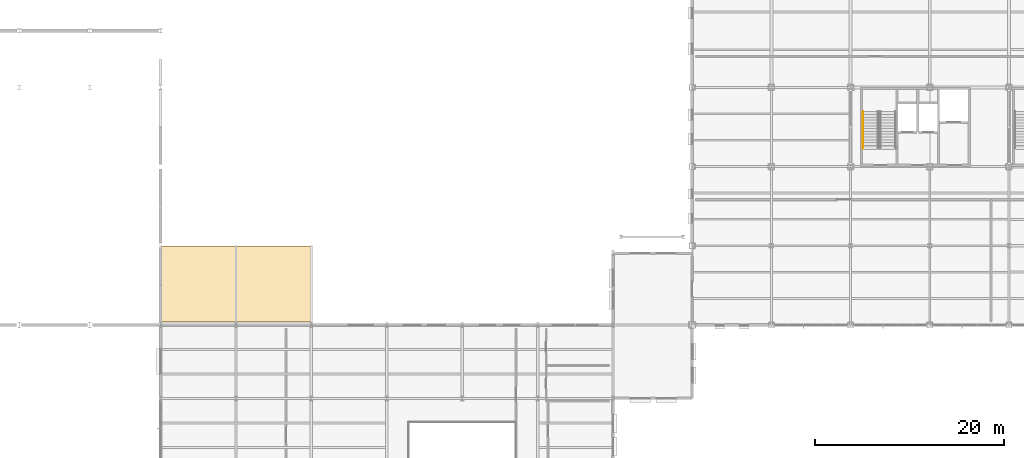
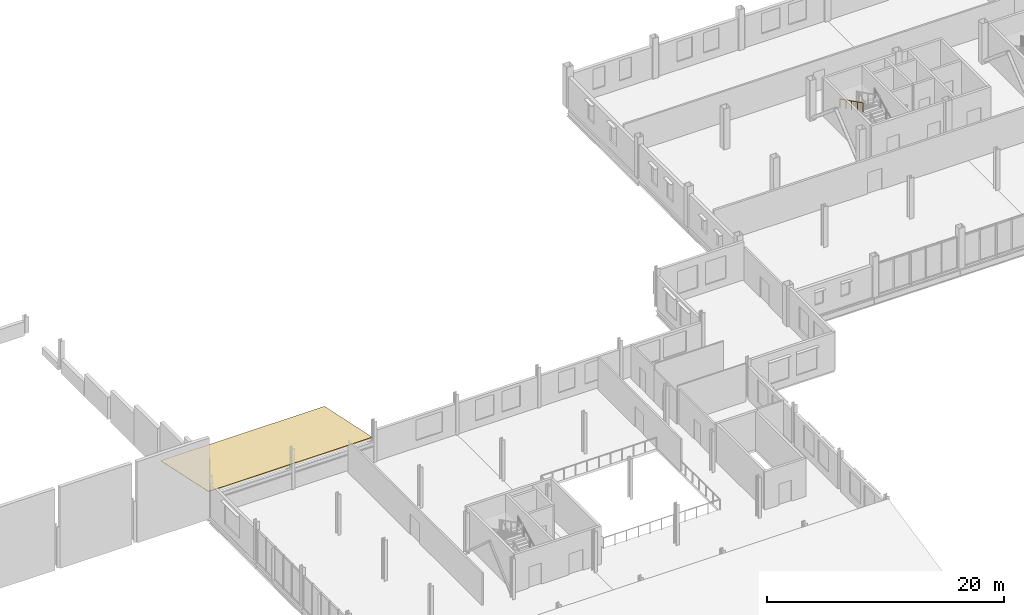
# One storey, part 44 of 45: 1 covering, 1 railing.
"""IFC4 building model written with IfcOpenShell, lengths in metres."""

from ifc_helpers import new_model, si_unit, direction, frame, origin, origin_2d, place, context, subcontext, project, spatial, polyline, circle, outline, extrude, material, layer, layer_set, type_object, element, save


model = new_model("IFC4")

# Units and contexts
model_context = context("Model", 3, precision=1e-05, world=origin(), true_north=direction((0.0, 1.0)))
body_context = subcontext(model_context, "Body", "Model", "MODEL_VIEW")
ifc_project = project(units=[si_unit("LENGTHUNIT", "METRE"), si_unit("AREAUNIT", "SQUARE_METRE"), si_unit("VOLUMEUNIT", "CUBIC_METRE"), si_unit("PLANEANGLEUNIT", "RADIAN"), si_unit("MASSUNIT", "GRAM", prefix="KILO")], contexts=[model_context])

# Site, building, storey
site_placement = place(None, origin())
site = spatial("IfcSite", under=ifc_project, at=site_placement, CompositionType="ELEMENT")
building_placement = place(site_placement, origin())
building = spatial("IfcBuilding", under=site, at=building_placement, Name="Yukiwa Park Conservatory and Herbarium", CompositionType="ELEMENT")
storey_placement = place(building_placement, frame((0.0, 0.0, 9.0)))
storey = spatial("IfcBuildingStorey", under=building, at=storey_placement, Name="L02", CompositionType="ELEMENT", Elevation=9.0)

# Covering
ifc_material_1 = material(Name="Roofing Membrane and PIR Insulation")
ifc_layer_1 = layer(ifc_material_1, 0.0400390625)
ifc_layer_set_1 = layer_set([ifc_layer_1], Name="Roofing Membrane and PIR Insulation")
covering_type = type_object("IfcCoveringType", Name="COV-ROOF-MEMBRANE", PredefinedType="ROOFING", material=ifc_layer_set_1)
covering_placement = place(storey_placement, frame((60.0, 78.300048828125, 2.2578125), z_axis=(0.0, 0.207940207776, 0.978141538833), x_axis=(1.0, 0.0, 0.0)))
element("IfcCovering", 1, at=covering_placement, inside=storey, type_object=covering_type, Name="Auditorium Foyer Link insulated standing-seam roof covering", PredefinedType="ROOFING", context=body_context, shape_type="SweptSolid", body=[
    extrude(outline(polyline([(0.0, 0.0), (16.0, 0.0), (16.0, 8.280860380687946), (0.0, 8.280860380687946), (0.0, 0.0)])), origin(), (0.0, 0.0, -1.0), 0.0400390625),
])

# Railing
ifc_material_2 = material(Name="Steel Q235B", Category="steel")
ifc_layer_2 = layer(ifc_material_2, 0.044921875)
ifc_layer_set_2 = layer_set([ifc_layer_2], Name="Steel Q235B")
railing_type = type_object("IfcRailingType", Name="RL-STAIR-RAIL-900", PredefinedType="HANDRAIL", material=ifc_layer_set_2)
railing_placement = place(storey_placement, frame((134.5400390625, 100.6298828125, 2.25)))
element("IfcRailing", 2, at=railing_placement, inside=storey, type_object=railing_type, Name="L02 ST-T1 stair handrail 2", PredefinedType="HANDRAIL", context=body_context, shape_type="SweptSolid", body=[
    extrude(circle(Radius=0.02392578125, at=origin_2d()), frame((0.0, 0.0, 0.8759765625), z_axis=(0.0, -0.894427191, 0.4472135955), x_axis=(1.0, 0.0, 0.0)), (0.0, 0.0, 1.0), 4.360107421875),
    extrude(circle(Radius=0.02099609375, at=origin_2d()), origin(), (0.0, 0.0, 1.0), 0.851806640625),
    extrude(circle(Radius=0.02099609375, at=origin_2d()), frame((0.0, -0.97509765625, 0.487548828125)), (0.0, 0.0, 1.0), 0.851806640625),
    extrude(circle(Radius=0.02099609375, at=origin_2d()), frame((0.0, -1.949951171875, 0.97509765625)), (0.0, 0.0, 1.0), 0.851806640625),
    extrude(circle(Radius=0.02099609375, at=origin_2d()), frame((0.0, -2.9248046875, 1.46240234375)), (0.0, 0.0, 1.0), 0.851806640625),
    extrude(circle(Radius=0.02099609375, at=origin_2d()), frame((0.0, -3.89990234375, 1.949951171875)), (0.0, 0.0, 1.0), 0.851806640625),
])

save(model, "model.ifc")
